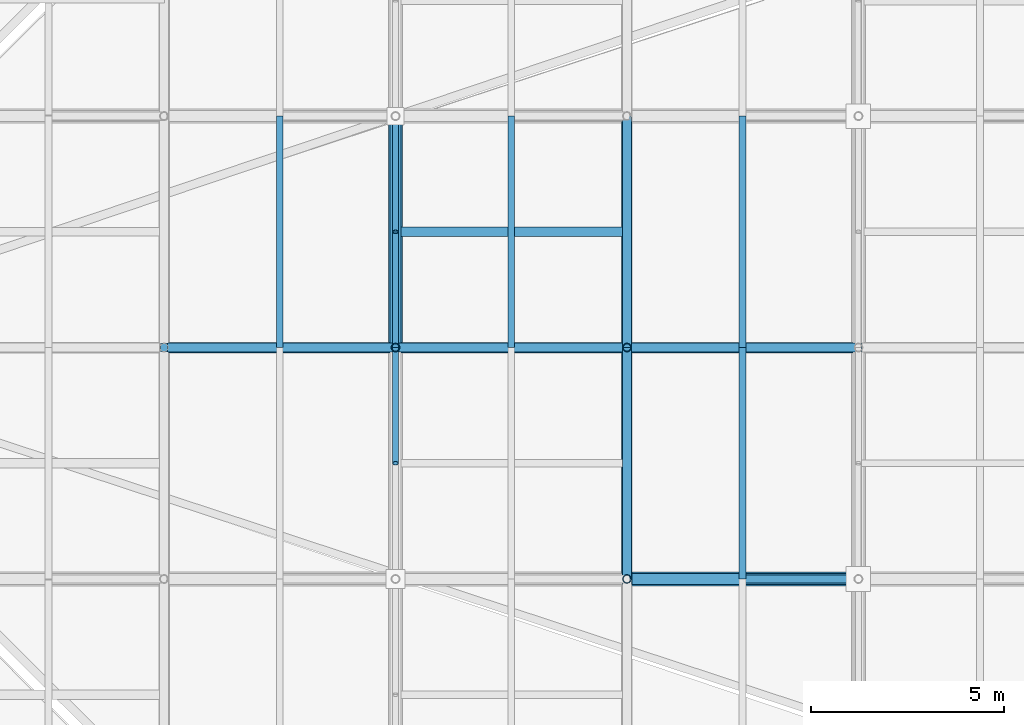
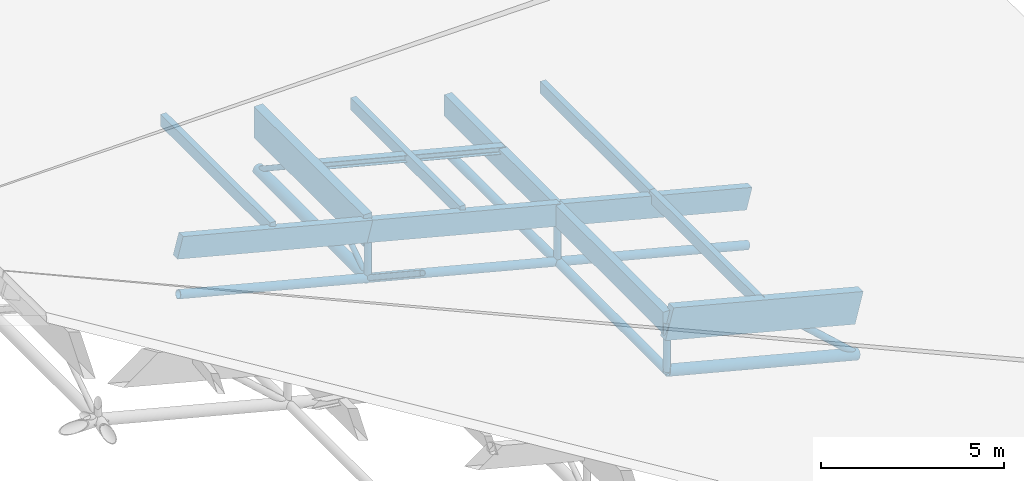
# One storey, part 39 of 80: 26 members.
"""IFC4 building model written with IfcOpenShell, lengths in metres."""

from ifc_helpers import new_model, si_unit, direction, frame, origin, origin_2d, place, context, subcontext, project, spatial, rectangle, hollow_circle, i_section, extrude, material, material_profile, profile_set, type_object, element, save


model = new_model("IFC4")

# Units and contexts
model_context = context("Model", 3, precision=1e-05, world=origin(), true_north=direction((0.0, 1.0)))
body_context = subcontext(model_context, "Body", "Model", "MODEL_VIEW")
ifc_project = project(units=[si_unit("LENGTHUNIT", "METRE"), si_unit("AREAUNIT", "SQUARE_METRE"), si_unit("VOLUMEUNIT", "CUBIC_METRE"), si_unit("PLANEANGLEUNIT", "RADIAN"), si_unit("MASSUNIT", "GRAM", prefix="KILO"), si_unit("THERMODYNAMICTEMPERATUREUNIT", "KELVIN"), si_unit("POWERUNIT", "WATT")], contexts=[model_context])

# Site, building, storey
site_placement = place(None, origin())
site = spatial("IfcSite", under=ifc_project, at=site_placement, CompositionType="ELEMENT")
building_placement = place(site_placement, origin())
building = spatial("IfcBuilding", under=site, at=building_placement, Name="Solmara Park Aquatics Centre", CompositionType="ELEMENT")
storey_placement = place(building_placement, frame((0.0, 0.0, 22.800048828125)))
storey = spatial("IfcBuildingStorey", under=building, at=storey_placement, Name="RF", CompositionType="ELEMENT", Elevation=22.800048828125)

# Members
ifc_material_1 = material(Name="Structural Steel S355", Category="steel")
ifc_material_profile_1 = material_profile(ifc_material_1, hollow_circle(Radius=0.084228515625, WallThickness=0.008056640625, at=origin_2d()), Name="CHS 168.3x8")
ifc_profile_set_1 = profile_set([ifc_material_profile_1], Name="Structural Steel S355")
member_type_1 = type_object("IfcMemberType", Name="STR-BRC-CHS168", PredefinedType="BRACE", material=ifc_profile_set_1)
for number, where, z_axis, x_axis, name in (
    (1, (84.60009765625, 42.60009765625, -8.0380859375), (0.0, -0.834611904619, 0.550838423377), (1.0, 0.0, 0.0), "Roof Truss Web Diagonal Y 2001"),
    (2, (84.60009765625, 42.60009765625, -8.0380859375), (0.0, 0.834611904619, 0.550838423377), (-1.0, 0.0, 0.0), "Roof Truss Web Diagonal Y 2029"),
    (3, (84.60009765625, 48.60009765625, -8.0380859375), (0.0, -0.834611904619, 0.550838423377), (1.0, 0.0, 0.0), "Roof Truss Web Diagonal Y 2030"),
):
    element("IfcMember", number, at=place(storey_placement, frame(where, z_axis=z_axis, x_axis=x_axis)), inside=storey, type_object=member_type_1, Name=name, PredefinedType="BRACE", context=body_context, shape_type="SweptSolid", body=[
        extrude(hollow_circle(Radius=0.084228515625, WallThickness=0.008056640625, at=origin_2d()), origin(), (0.0, 0.0, 1.0), 3.594482421875),
    ])
ifc_material_profile_2 = material_profile(ifc_material_1, hollow_circle(Radius=0.109619140625, WallThickness=0.010009765625, at=origin_2d()), Name="CHS 219.1x10")
ifc_profile_set_2 = profile_set([ifc_material_profile_2], Name="Structural Steel S355")
member_type_2 = type_object("IfcMemberType", Name="STR-BRC-CHS219", PredefinedType="BRACE", material=ifc_profile_set_2)
member_1_placement = place(storey_placement, frame((96.60009765625, 36.60009765625, -11.141357421875), z_axis=(-0.741347083846, 0.0, 0.671121822974), x_axis=(0.0, -1.0, 0.0)))
element("IfcMember", 4, at=member_1_placement, inside=storey, type_object=member_type_2, Name="Roof Truss Web Diagonal X 1784", PredefinedType="BRACE", context=body_context, shape_type="SweptSolid", body=[
    extrude(hollow_circle(Radius=0.109619140625, WallThickness=0.010009765625, at=origin_2d()), origin(), (0.0, 0.0, 1.0), 4.046630859375),
])
ifc_material_profile_3 = material_profile(ifc_material_1, hollow_circle(Radius=0.136474609375, WallThickness=0.012451171875, at=origin_2d()), Name="CHS 273x12.5")
ifc_profile_set_3 = profile_set([ifc_material_profile_3], Name="Structural Steel S355")
member_type_3 = type_object("IfcMemberType", Name="STR-CHD-CHS273", PredefinedType="CHORD", material=ifc_profile_set_3)
for number, where, z_axis, x_axis, name in (
    (5, (78.60009765625, 42.60009765625, -6.486328125), (0.968145594442, 0.0, -0.250387914969), (0.0, 1.0, 0.0), "Steel Roof Truss Bottom Chord X 0280"),
    (6, (84.60009765625, 42.60009765625, -8.0380859375), (0.968145594442, 0.0, -0.250387914969), (0.0, 1.0, 0.0), "Steel Roof Truss Bottom Chord X 0282"),
):
    element("IfcMember", number, at=place(storey_placement, frame(where, z_axis=z_axis, x_axis=x_axis)), inside=storey, type_object=member_type_3, Name=name, PredefinedType="CHORD", context=body_context, shape_type="SweptSolid", body=[
        extrude(hollow_circle(Radius=0.136474609375, WallThickness=0.012451171875, at=origin_2d()), origin(), (0.0, 0.0, 1.0), 6.197509765625),
    ])
member_2_placement = place(storey_placement, frame((90.60009765625, 42.60009765625, -9.58984375), z_axis=(0.968155143395, 0.0, -0.250350990246), x_axis=(0.0, 1.0, 0.0)))
element("IfcMember", 7, at=member_2_placement, inside=storey, type_object=member_type_3, Name="Steel Roof Truss Bottom Chord X 0284", PredefinedType="CHORD", context=body_context, shape_type="SweptSolid", body=[
    extrude(hollow_circle(Radius=0.136474609375, WallThickness=0.012451171875, at=origin_2d()), origin(), (0.0, 0.0, 1.0), 6.197265625),
])
for number, where, z_axis, x_axis, name in (
    (8, (90.60009765625, 36.60009765625, -9.58984375), (0.0, 1.0, 0.0), (-1.0, 0.0, 0.0), "Steel Roof Truss Bottom Chord Y 0974"),
    (9, (90.60009765625, 42.60009765625, -9.58984375), (0.0, 1.0, 0.0), (-1.0, 0.0, 0.0), "Steel Roof Truss Bottom Chord Y 0976"),
):
    element("IfcMember", number, at=place(storey_placement, frame(where, z_axis=z_axis, x_axis=x_axis)), inside=storey, type_object=member_type_3, Name=name, PredefinedType="CHORD", context=body_context, shape_type="SweptSolid", body=[
        extrude(hollow_circle(Radius=0.136474609375, WallThickness=0.012451171875, at=origin_2d()), origin(), (0.0, 0.0, 1.0), 6.0),
    ])
ifc_material_profile_4 = material_profile(ifc_material_1, hollow_circle(Radius=0.177734375, WallThickness=0.01611328125, at=origin_2d()), Name="CHS 355.6x16")
ifc_profile_set_4 = profile_set([ifc_material_profile_4], Name="Structural Steel S355")
member_type_4 = type_object("IfcMemberType", Name="STR-CHD-CHS355", PredefinedType="CHORD", material=ifc_profile_set_4)
member_3_placement = place(storey_placement, frame((90.60009765625, 36.60009765625, -9.58984375), z_axis=(0.968155143395, 0.0, -0.250350990246), x_axis=(0.0, 1.0, 0.0)))
element("IfcMember", 10, at=member_3_placement, inside=storey, type_object=member_type_4, Name="Steel Roof Truss Bottom Chord X 0248", PredefinedType="CHORD", context=body_context, shape_type="SweptSolid", body=[
    extrude(hollow_circle(Radius=0.177734375, WallThickness=0.01611328125, at=origin_2d()), origin(), (0.0, 0.0, 1.0), 6.197265625),
])
member_4_placement = place(storey_placement, frame((84.60009765625, 42.60009765625, -8.0380859375), z_axis=(0.0, 1.0, 0.0), x_axis=(-1.0, 0.0, 0.0)))
element("IfcMember", 11, at=member_4_placement, inside=storey, type_object=member_type_4, Name="Steel Roof Truss Bottom Chord Y 0948", PredefinedType="CHORD", context=body_context, shape_type="SweptSolid", body=[
    extrude(hollow_circle(Radius=0.177734375, WallThickness=0.01611328125, at=origin_2d()), origin(), (0.0, 0.0, 1.0), 6.0),
])
ifc_material_2 = material(Name="Glulam Timber GL28h", Category="wood")
ifc_material_profile_5 = material_profile(ifc_material_2, rectangle(XDim=0.239990234375, YDim=0.719970703125, at=origin_2d()), Name="GL28h 240x720")
ifc_profile_set_5 = profile_set([ifc_material_profile_5], Name="Glulam Timber GL28h")
member_type_5 = type_object("IfcMemberType", Name="STR-CHD-GL240x720", PredefinedType="CHORD", material=ifc_profile_set_5)
member_5_placement = place(storey_placement, frame((78.60009765625, 42.60009765625, -4.866455078125), z_axis=(0.968155143395, 0.0, -0.250350990246), x_axis=(0.0, 1.0, 0.0)))
element("IfcMember", 12, at=member_5_placement, inside=storey, type_object=member_type_5, Name="Glulam Roof Truss Top Chord X 0279", PredefinedType="CHORD", context=body_context, shape_type="SweptSolid", body=[
    extrude(rectangle(XDim=0.239990234375, YDim=0.719970703125, at=origin_2d()), origin(), (0.0, 0.0, 1.0), 6.197265625),
])
for number, where, z_axis, x_axis, name in (
    (13, (84.60009765625, 42.60009765625, -6.41796875), (0.968145594442, 0.0, -0.250387914969), (0.0, 1.0, 0.0), "Glulam Roof Truss Top Chord X 0281"),
    (14, (90.60009765625, 42.60009765625, -7.9697265625), (0.968145594442, 0.0, -0.250387914969), (0.0, 1.0, 0.0), "Glulam Roof Truss Top Chord X 0283"),
):
    element("IfcMember", number, at=place(storey_placement, frame(where, z_axis=z_axis, x_axis=x_axis)), inside=storey, type_object=member_type_5, Name=name, PredefinedType="CHORD", context=body_context, shape_type="SweptSolid", body=[
        extrude(rectangle(XDim=0.239990234375, YDim=0.719970703125, at=origin_2d()), origin(), (0.0, 0.0, 1.0), 6.197509765625),
    ])
for number, where, z_axis, x_axis, name in (
    (15, (90.60009765625, 36.60009765625, -7.9697265625), (0.0, 1.0, 0.0), (-1.0, 0.0, 0.0), "Glulam Roof Truss Top Chord Y 0973"),
    (16, (90.60009765625, 42.60009765625, -7.9697265625), (0.0, 1.0, 0.0), (-1.0, 0.0, 0.0), "Glulam Roof Truss Top Chord Y 0975"),
):
    element("IfcMember", number, at=place(storey_placement, frame(where, z_axis=z_axis, x_axis=x_axis)), inside=storey, type_object=member_type_5, Name=name, PredefinedType="CHORD", context=body_context, shape_type="SweptSolid", body=[
        extrude(rectangle(XDim=0.239990234375, YDim=0.719970703125, at=origin_2d()), origin(), (0.0, 0.0, 1.0), 6.0),
    ])
ifc_material_profile_6 = material_profile(ifc_material_2, rectangle(XDim=0.280029296875, YDim=1.0400390625, at=origin_2d()), Name="GL28h 280x1040")
ifc_profile_set_6 = profile_set([ifc_material_profile_6], Name="Glulam Timber GL28h")
member_type_6 = type_object("IfcMemberType", Name="STR-CHD-GL280x1040", PredefinedType="CHORD", material=ifc_profile_set_6)
member_6_placement = place(storey_placement, frame((90.60009765625, 36.60009765625, -7.9697265625), z_axis=(0.968145594442, 0.0, -0.250387914969), x_axis=(0.0, 1.0, 0.0)))
element("IfcMember", 17, at=member_6_placement, inside=storey, type_object=member_type_6, Name="Glulam Roof Truss Top Chord X 0247", PredefinedType="CHORD", context=body_context, shape_type="SweptSolid", body=[
    extrude(rectangle(XDim=0.280029296875, YDim=1.0400390625, at=origin_2d()), origin(), (0.0, 0.0, 1.0), 6.197509765625),
])
member_7_placement = place(storey_placement, frame((84.60009765625, 42.60009765625, -6.41796875), z_axis=(0.0, 1.0, 0.0), x_axis=(-1.0, 0.0, 0.0)))
element("IfcMember", 18, at=member_7_placement, inside=storey, type_object=member_type_6, Name="Glulam Roof Truss Top Chord Y 0947", PredefinedType="CHORD", context=body_context, shape_type="SweptSolid", body=[
    extrude(rectangle(XDim=0.280029296875, YDim=1.0400390625, at=origin_2d()), origin(), (0.0, 0.0, 1.0), 6.0),
])
ifc_material_profile_7 = material_profile(ifc_material_2, rectangle(XDim=0.179931640625, YDim=0.39990234375, at=origin_2d()), Name="GL28h 180x400")
ifc_profile_set_7 = profile_set([ifc_material_profile_7], Name="Glulam Timber GL28h")
member_type_7 = type_object("IfcMemberType", Name="STR-PRL-GL180x400", PredefinedType="PURLIN", material=ifc_profile_set_7)
for number, where, z_axis, x_axis, name in (
    (19, (81.60009765625, 42.60009765625, -5.322265625), (0.0, 1.0, 0.0), (-1.0, 0.0, 0.0), "Glulam Roof Purlin 1718"),
    (20, (87.60009765625, 42.60009765625, -6.8740234375), (0.0, 1.0, 0.0), (-1.0, 0.0, 0.0), "Glulam Roof Purlin 1746"),
    (21, (93.60009765625, 36.60009765625, -8.425537109375), (0.0, 1.0, 0.0), (-1.0, 0.0, 0.0), "Glulam Roof Purlin 1771"),
    (22, (93.60009765625, 42.60009765625, -8.425537109375), (0.0, 1.0, 0.0), (-1.0, 0.0, 0.0), "Glulam Roof Purlin 1772"),
):
    element("IfcMember", number, at=place(storey_placement, frame(where, z_axis=z_axis, x_axis=x_axis)), inside=storey, type_object=member_type_7, Name=name, PredefinedType="PURLIN", context=body_context, shape_type="SweptSolid", body=[
        extrude(rectangle(XDim=0.179931640625, YDim=0.39990234375, at=origin_2d()), origin(), (0.0, 0.0, 1.0), 6.0),
    ])
ifc_material_profile_8 = material_profile(ifc_material_1, i_section(OverallWidth=0.239990234375, OverallDepth=0.22998046875, WebThickness=0.007568359375, FlangeThickness=0.011962890625, FilletRadius=0.02099609375, at=origin_2d()), Name="HEA 240")
ifc_profile_set_8 = profile_set([ifc_material_profile_8], Name="Structural Steel S355")
member_type_8 = type_object("IfcMemberType", Name="STR-PRL-HEA240", PredefinedType="PURLIN", material=ifc_profile_set_8)
member_8_placement = place(storey_placement, frame((84.60009765625, 45.60009765625, -6.078125), z_axis=(0.968155143395, 0.0, -0.250350990246), x_axis=(0.0, 1.0, 0.0)))
element("IfcMember", 23, at=member_8_placement, inside=storey, type_object=member_type_8, Name="Glulam Secondary Roof Purlin 2013", PredefinedType="PURLIN", context=body_context, shape_type="SweptSolid", body=[
    extrude(i_section(OverallWidth=0.239990234375, OverallDepth=0.22998046875, WebThickness=0.007568359375, FlangeThickness=0.011962890625, FilletRadius=0.02099609375, at=origin_2d()), origin(), (0.0, 0.0, 1.0), 6.197265625),
])
ifc_material_profile_9 = material_profile(ifc_material_1, hollow_circle(Radius=0.109619140625, WallThickness=0.010009765625, at=origin_2d()), Name="CHS 219.1x10")
ifc_profile_set_9 = profile_set([ifc_material_profile_9], Name="Structural Steel S355")
member_type_9 = type_object("IfcMemberType", Name="STR-PST-CHS219", PredefinedType="POST", material=ifc_profile_set_9)
for number, where, z_axis, x_axis, name in (
    (24, (84.60009765625, 42.60009765625, -8.0380859375), (0.0, 0.0, 1.0), (1.0, 0.0, 0.0), "Roof Truss Web Post 1283"),
    (25, (90.60009765625, 36.60009765625, -9.58984375), (0.0, 0.0, 1.0), (1.0, 0.0, 0.0), "Roof Truss Web Post 1297"),
    (26, (90.60009765625, 42.60009765625, -9.58984375), (0.0, 0.0, 1.0), (1.0, 0.0, 0.0), "Roof Truss Web Post 1298"),
):
    element("IfcMember", number, at=place(storey_placement, frame(where, z_axis=z_axis, x_axis=x_axis)), inside=storey, type_object=member_type_9, Name=name, PredefinedType="POST", context=body_context, shape_type="SweptSolid", body=[
        extrude(hollow_circle(Radius=0.109619140625, WallThickness=0.010009765625, at=origin_2d()), origin(), (0.0, 0.0, 1.0), 1.6201171875),
    ])

save(model, "model.ifc")
